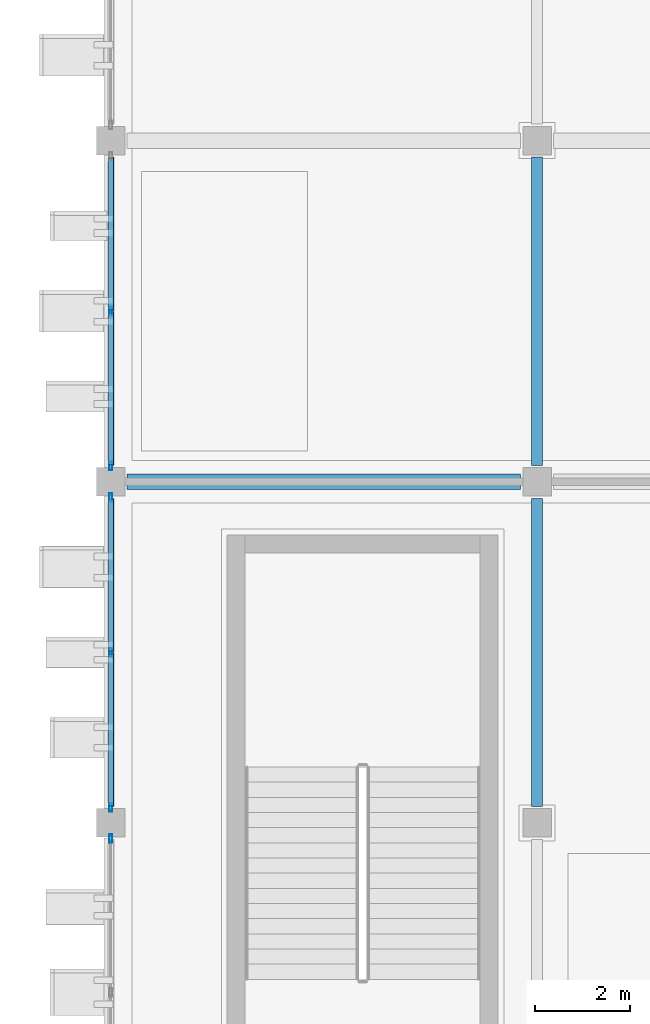
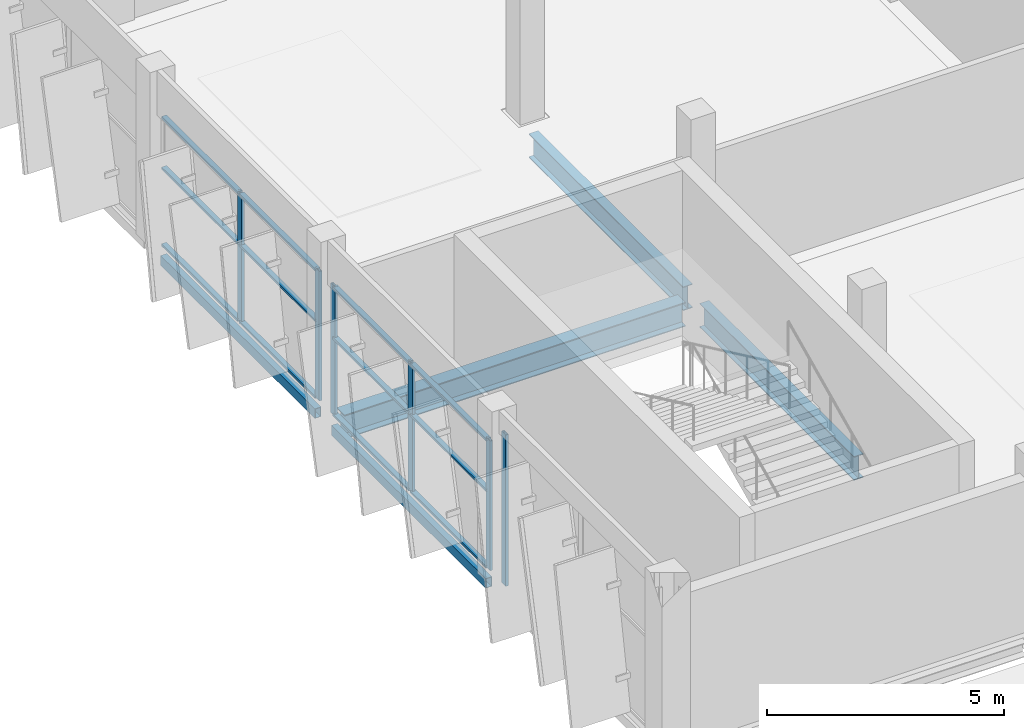
# One storey, part 30 of 124: 18 members, 5 beams, 3 elements without a shape of their own.
"""IFC4 building model written with IfcOpenShell, lengths in metres."""

from ifc_helpers import new_model, si_unit, direction, frame, origin, origin_2d, place, context, subcontext, project, spatial, hollow_rectangle, i_section, extrude, material, layer, layer_set, material_profile, profile_set, type_object, element, aggregate, save


model = new_model("IFC4")

# Units and contexts
model_context = context("Model", 3, precision=1e-05, world=origin(), true_north=direction((0.0, 1.0)))
body_context = subcontext(model_context, "Body", "Model", "MODEL_VIEW")
ifc_project = project(units=[si_unit("LENGTHUNIT", "METRE"), si_unit("AREAUNIT", "SQUARE_METRE"), si_unit("VOLUMEUNIT", "CUBIC_METRE"), si_unit("PLANEANGLEUNIT", "RADIAN"), si_unit("MASSUNIT", "GRAM", prefix="KILO")], contexts=[model_context])

# Site, building, storey
site_placement = place(None, origin())
site = spatial("IfcSite", under=ifc_project, at=site_placement, CompositionType="ELEMENT")
building_placement = place(site_placement, origin())
building = spatial("IfcBuilding", under=site, at=building_placement, Name="Celestram Park Convention Centre", CompositionType="ELEMENT")
storey_placement = place(building_placement, frame((0.0, 0.0, 15.300048828125)))
storey = spatial("IfcBuildingStorey", under=building, at=storey_placement, Name="L03", CompositionType="ELEMENT", Elevation=15.300048828125)

# Curtain wall, member
ifc_material_1 = material(Name="Anodised Aluminium Alloy 6063-T6", Category="aluminium")
ifc_layer_1 = layer(ifc_material_1, 0.179931640625)
ifc_layer_set_1 = layer_set([ifc_layer_1], Name="Anodised Aluminium Alloy 6063-T6")
curtain_wall_type_1 = type_object("IfcCurtainWallType", Name="ARC-CW-655X389", PredefinedType="NOTDEFINED", material=ifc_layer_set_1)
curtain_wall_1_placement = place(storey_placement, origin())
curtain_wall_1 = element("IfcCurtainWall", 1, at=curtain_wall_1_placement, inside=storey, type_object=curtain_wall_type_1, Name="Unitised curtain wall CU-L03-195", PredefinedType="NOTDEFINED")
ifc_material_profile_1 = material_profile(ifc_material_1, hollow_rectangle(XDim=0.06494140625, YDim=0.179931640625, WallThickness=0.00390625, at=origin_2d()), Name="ALU65X180X4")
ifc_profile_set_1 = profile_set([ifc_material_profile_1], Name="Anodised Aluminium Alloy 6063-T6")
member_type_1 = type_object("IfcMemberType", Name="ARC-CWM-150", PredefinedType="MULLION", material=ifc_profile_set_1)
member_1_placement = place(storey_placement, frame((36.0, 114.869384765625, 0.0), z_axis=(0.0, 0.0, 1.0), x_axis=(-1.0, 0.0, 0.0)))
member_1 = element("IfcMember", 2, at=member_1_placement, type_object=member_type_1, Name="CW-65X38 mullion 3", PredefinedType="MULLION", context=body_context, shape_type="SweptSolid", body=[
    extrude(hollow_rectangle(XDim=0.06494140625, YDim=0.179931640625, WallThickness=0.00390625, at=origin_2d()), origin(), (0.0, 0.0, 1.0), 3.89404296875),
])
aggregate(curtain_wall_1, [member_1])

# Curtain wall, members
ifc_layer_2 = layer(ifc_material_1, 0.179931640625)
ifc_layer_set_2 = layer_set([ifc_layer_2], Name="Anodised Aluminium Alloy 6063-T6")
curtain_wall_type_2 = type_object("IfcCurtainWallType", Name="ARC-CW-660X334", PredefinedType="NOTDEFINED", material=ifc_layer_set_2)
curtain_wall_2_placement = place(storey_placement, origin())
curtain_wall_2 = element("IfcCurtainWall", 3, at=curtain_wall_2_placement, inside=storey, type_object=curtain_wall_type_2, Name="Unitised curtain wall CU-L03-196", PredefinedType="NOTDEFINED")
member_2_placement = place(storey_placement, frame((36.0, 115.530517578125, 0.0), z_axis=(0.0, 0.0, 1.0), x_axis=(-1.0, 0.0, 0.0)))
member_2 = element("IfcMember", 4, at=member_2_placement, type_object=member_type_1, Name="CW-66X33 mullion 1", PredefinedType="MULLION", context=body_context, shape_type="SweptSolid", body=[
    extrude(hollow_rectangle(XDim=0.06494140625, YDim=0.179931640625, WallThickness=0.00390625, at=origin_2d()), origin(), (0.0, 0.0, 1.0), 3.3359375),
])
member_3_placement = place(storey_placement, frame((36.0, 118.800048828125, 0.0), z_axis=(0.0, 0.0, 1.0), x_axis=(-1.0, 0.0, 0.0)))
member_3 = element("IfcMember", 5, at=member_3_placement, type_object=member_type_1, Name="CW-66X33 mullion 2", PredefinedType="MULLION", context=body_context, shape_type="SweptSolid", body=[
    extrude(hollow_rectangle(XDim=0.06494140625, YDim=0.179931640625, WallThickness=0.00390625, at=origin_2d()), origin(), (0.0, 0.0, 1.0), 3.3359375),
])
member_4_placement = place(storey_placement, frame((36.0, 122.069580078125, 0.0), z_axis=(0.0, 0.0, 1.0), x_axis=(-1.0, 0.0, 0.0)))
member_4 = element("IfcMember", 6, at=member_4_placement, type_object=member_type_1, Name="CW-66X33 mullion 3", PredefinedType="MULLION", context=body_context, shape_type="SweptSolid", body=[
    extrude(hollow_rectangle(XDim=0.06494140625, YDim=0.179931640625, WallThickness=0.00390625, at=origin_2d()), origin(), (0.0, 0.0, 1.0), 3.3359375),
])

curtain_wall_3_placement = place(storey_placement, origin())
curtain_wall_3 = element("IfcCurtainWall", 7, at=curtain_wall_3_placement, inside=storey, type_object=curtain_wall_type_2, Name="Unitised curtain wall CU-L03-197", PredefinedType="NOTDEFINED")
member_5_placement = place(storey_placement, frame((36.0, 122.73046875, 0.0), z_axis=(0.0, 0.0, 1.0), x_axis=(-1.0, 0.0, 0.0)))
member_5 = element("IfcMember", 8, at=member_5_placement, type_object=member_type_1, Name="CW-66X33 mullion 1", PredefinedType="MULLION", context=body_context, shape_type="SweptSolid", body=[
    extrude(hollow_rectangle(XDim=0.06494140625, YDim=0.179931640625, WallThickness=0.00390625, at=origin_2d()), origin(), (0.0, 0.0, 1.0), 3.3359375),
])
member_6_placement = place(storey_placement, frame((36.0, 126.0, 0.0), z_axis=(0.0, 0.0, 1.0), x_axis=(-1.0, 0.0, 0.0)))
member_6 = element("IfcMember", 9, at=member_6_placement, type_object=member_type_1, Name="CW-66X33 mullion 2", PredefinedType="MULLION", context=body_context, shape_type="SweptSolid", body=[
    extrude(hollow_rectangle(XDim=0.06494140625, YDim=0.179931640625, WallThickness=0.00390625, at=origin_2d()), origin(), (0.0, 0.0, 1.0), 3.3359375),
])

# Member
ifc_material_profile_2 = material_profile(ifc_material_1, hollow_rectangle(XDim=0.1201171875, YDim=0.06005859375, WallThickness=0.0029296875, at=origin_2d()), Name="ALU120X60X3")
ifc_profile_set_2 = profile_set([ifc_material_profile_2], Name="Anodised Aluminium Alloy 6063-T6")
member_type_2 = type_object("IfcMemberType", Name="ARC-CWT-120", PredefinedType="USERDEFINED", material=ifc_profile_set_2)
member_7_placement = place(storey_placement, frame((36.0, 115.56298828125, 0.030029296875), z_axis=(0.0, 1.0, 0.0), x_axis=(-1.0, 0.0, 0.0)))
member_7 = element("IfcMember", 10, at=member_7_placement, type_object=member_type_2, Name="CW-66X33 transom 1.1", ObjectType="TRANSOM", PredefinedType="USERDEFINED", context=body_context, shape_type="SweptSolid", body=[
    extrude(hollow_rectangle(XDim=0.1201171875, YDim=0.06005859375, WallThickness=0.0029296875, at=origin_2d()), origin(), (0.0, 0.0, 1.0), 3.20458984375),
])

member_8_placement = place(storey_placement, frame((36.0, 115.56298828125, 2.001953125), z_axis=(0.0, 1.0, 0.0), x_axis=(-1.0, 0.0, 0.0)))
member_8 = element("IfcMember", 11, at=member_8_placement, type_object=member_type_2, Name="CW-66X33 transom 1.2", ObjectType="TRANSOM", PredefinedType="USERDEFINED", context=body_context, shape_type="SweptSolid", body=[
    extrude(hollow_rectangle(XDim=0.1201171875, YDim=0.06005859375, WallThickness=0.0029296875, at=origin_2d()), origin(), (0.0, 0.0, 1.0), 3.20458984375),
])

member_9_placement = place(storey_placement, frame((36.0, 115.56298828125, 3.305908203125), z_axis=(0.0, 1.0, 0.0), x_axis=(-1.0, 0.0, 0.0)))
member_9 = element("IfcMember", 12, at=member_9_placement, type_object=member_type_2, Name="CW-66X33 transom 1.3", ObjectType="TRANSOM", PredefinedType="USERDEFINED", context=body_context, shape_type="SweptSolid", body=[
    extrude(hollow_rectangle(XDim=0.1201171875, YDim=0.06005859375, WallThickness=0.0029296875, at=origin_2d()), origin(), (0.0, 0.0, 1.0), 3.20458984375),
])

member_10_placement = place(storey_placement, frame((36.0, 118.83251953125, 0.030029296875), z_axis=(0.0, 1.0, 0.0), x_axis=(-1.0, 0.0, 0.0)))
member_10 = element("IfcMember", 13, at=member_10_placement, type_object=member_type_2, Name="CW-66X33 transom 2.1", ObjectType="TRANSOM", PredefinedType="USERDEFINED", context=body_context, shape_type="SweptSolid", body=[
    extrude(hollow_rectangle(XDim=0.1201171875, YDim=0.06005859375, WallThickness=0.0029296875, at=origin_2d()), origin(), (0.0, 0.0, 1.0), 3.20458984375),
])

member_11_placement = place(storey_placement, frame((36.0, 118.83251953125, 2.001953125), z_axis=(0.0, 1.0, 0.0), x_axis=(-1.0, 0.0, 0.0)))
member_11 = element("IfcMember", 14, at=member_11_placement, type_object=member_type_2, Name="CW-66X33 transom 2.2", ObjectType="TRANSOM", PredefinedType="USERDEFINED", context=body_context, shape_type="SweptSolid", body=[
    extrude(hollow_rectangle(XDim=0.1201171875, YDim=0.06005859375, WallThickness=0.0029296875, at=origin_2d()), origin(), (0.0, 0.0, 1.0), 3.20458984375),
])

member_12_placement = place(storey_placement, frame((36.0, 118.83251953125, 3.305908203125), z_axis=(0.0, 1.0, 0.0), x_axis=(-1.0, 0.0, 0.0)))
member_12 = element("IfcMember", 15, at=member_12_placement, type_object=member_type_2, Name="CW-66X33 transom 2.3", ObjectType="TRANSOM", PredefinedType="USERDEFINED", context=body_context, shape_type="SweptSolid", body=[
    extrude(hollow_rectangle(XDim=0.1201171875, YDim=0.06005859375, WallThickness=0.0029296875, at=origin_2d()), origin(), (0.0, 0.0, 1.0), 3.20458984375),
])

aggregate(curtain_wall_2, [member_2, member_3, member_4, member_7, member_8, member_9, member_10, member_11, member_12])

member_13_placement = place(storey_placement, frame((36.0, 122.762939453125, 0.030029296875), z_axis=(0.0, 1.0, 0.0), x_axis=(-1.0, 0.0, 0.0)))
member_13 = element("IfcMember", 16, at=member_13_placement, type_object=member_type_2, Name="CW-66X33 transom 1.1", ObjectType="TRANSOM", PredefinedType="USERDEFINED", context=body_context, shape_type="SweptSolid", body=[
    extrude(hollow_rectangle(XDim=0.1201171875, YDim=0.06005859375, WallThickness=0.0029296875, at=origin_2d()), origin(), (0.0, 0.0, 1.0), 3.20458984375),
])

member_14_placement = place(storey_placement, frame((36.0, 122.762939453125, 2.001953125), z_axis=(0.0, 1.0, 0.0), x_axis=(-1.0, 0.0, 0.0)))
member_14 = element("IfcMember", 17, at=member_14_placement, type_object=member_type_2, Name="CW-66X33 transom 1.2", ObjectType="TRANSOM", PredefinedType="USERDEFINED", context=body_context, shape_type="SweptSolid", body=[
    extrude(hollow_rectangle(XDim=0.1201171875, YDim=0.06005859375, WallThickness=0.0029296875, at=origin_2d()), origin(), (0.0, 0.0, 1.0), 3.20458984375),
])

member_15_placement = place(storey_placement, frame((36.0, 122.762939453125, 3.305908203125), z_axis=(0.0, 1.0, 0.0), x_axis=(-1.0, 0.0, 0.0)))
member_15 = element("IfcMember", 18, at=member_15_placement, type_object=member_type_2, Name="CW-66X33 transom 1.3", ObjectType="TRANSOM", PredefinedType="USERDEFINED", context=body_context, shape_type="SweptSolid", body=[
    extrude(hollow_rectangle(XDim=0.1201171875, YDim=0.06005859375, WallThickness=0.0029296875, at=origin_2d()), origin(), (0.0, 0.0, 1.0), 3.20458984375),
])

member_16_placement = place(storey_placement, frame((36.0, 126.032470703125, 0.030029296875), z_axis=(0.0, 1.0, 0.0), x_axis=(-1.0, 0.0, 0.0)))
member_16 = element("IfcMember", 19, at=member_16_placement, type_object=member_type_2, Name="CW-66X33 transom 2.1", ObjectType="TRANSOM", PredefinedType="USERDEFINED", context=body_context, shape_type="SweptSolid", body=[
    extrude(hollow_rectangle(XDim=0.1201171875, YDim=0.06005859375, WallThickness=0.0029296875, at=origin_2d()), origin(), (0.0, 0.0, 1.0), 3.20458984375),
])

member_17_placement = place(storey_placement, frame((36.0, 126.032470703125, 2.001953125), z_axis=(0.0, 1.0, 0.0), x_axis=(-1.0, 0.0, 0.0)))
member_17 = element("IfcMember", 20, at=member_17_placement, type_object=member_type_2, Name="CW-66X33 transom 2.2", ObjectType="TRANSOM", PredefinedType="USERDEFINED", context=body_context, shape_type="SweptSolid", body=[
    extrude(hollow_rectangle(XDim=0.1201171875, YDim=0.06005859375, WallThickness=0.0029296875, at=origin_2d()), origin(), (0.0, 0.0, 1.0), 3.20458984375),
])

member_18_placement = place(storey_placement, frame((36.0, 126.032470703125, 3.305908203125), z_axis=(0.0, 1.0, 0.0), x_axis=(-1.0, 0.0, 0.0)))
member_18 = element("IfcMember", 21, at=member_18_placement, type_object=member_type_2, Name="CW-66X33 transom 2.3", ObjectType="TRANSOM", PredefinedType="USERDEFINED", context=body_context, shape_type="SweptSolid", body=[
    extrude(hollow_rectangle(XDim=0.1201171875, YDim=0.06005859375, WallThickness=0.0029296875, at=origin_2d()), origin(), (0.0, 0.0, 1.0), 3.20458984375),
])

aggregate(curtain_wall_3, [member_5, member_6, member_13, member_14, member_15, member_16, member_17, member_18])

# Beams
ifc_material_2 = material(Name="Steel ASTM A992 Grade 50", Category="steel")
ifc_material_profile_3 = material_profile(ifc_material_2, i_section(OverallWidth=0.327880859375, OverallDepth=0.6220703125, WebThickness=0.015380859375, FlangeThickness=0.0244140625, at=origin_2d()), Name="W24X131")
ifc_profile_set_3 = profile_set([ifc_material_profile_3], Name="Steel ASTM A992 Grade 50")
beam_type_1 = type_object("IfcBeamType", Name="STR-BM-W24X131", PredefinedType="BEAM", material=ifc_profile_set_3)
beam_placement = place(storey_placement, frame((36.347900390625, 122.39990234375, -0.56103515625), z_axis=(1.0, 0.0, 0.0), x_axis=(0.0, 1.0, 0.0)))
element("IfcBeam", 22, at=beam_placement, inside=storey, type_object=beam_type_1, Name="Primary X-girder BG-L03-0004", PredefinedType="BEAM", context=body_context, shape_type="SweptSolid", body=[
    extrude(i_section(OverallWidth=0.327880859375, OverallDepth=0.6220703125, WebThickness=0.015380859375, FlangeThickness=0.0244140625, at=origin_2d()), origin(), (0.0, 0.0, 1.0), 8.30419921875),
])
ifc_material_profile_4 = material_profile(ifc_material_2, i_section(OverallWidth=0.22900390625, OverallDepth=0.612060546875, WebThickness=0.011962890625, FlangeThickness=0.01953125, at=origin_2d()), Name="W24X84")
ifc_profile_set_4 = profile_set([ifc_material_profile_4], Name="Steel ASTM A992 Grade 50")
beam_type_2 = type_object("IfcBeamType", Name="STR-BM-W24X84", PredefinedType="BEAM", material=ifc_profile_set_4)
for number, where, z_axis, x_axis, name in (
    (23, (45.0, 115.548095703125, -0.55615234375), (0.0, 1.0, 0.0), (-1.0, 0.0, 0.0), "Primary Y-girder BG-L03-0017"),
    (24, (45.0, 122.748046875, -0.55615234375), (0.0, 1.0, 0.0), (-1.0, 0.0, 0.0), "Primary Y-girder BG-L03-0019"),
):
    element("IfcBeam", number, at=place(storey_placement, frame(where, z_axis=z_axis, x_axis=x_axis)), inside=storey, type_object=beam_type_2, Name=name, PredefinedType="BEAM", context=body_context, shape_type="SweptSolid", body=[
        extrude(i_section(OverallWidth=0.22900390625, OverallDepth=0.612060546875, WebThickness=0.011962890625, FlangeThickness=0.01953125, at=origin_2d()), origin(), (0.0, 0.0, 1.0), 6.50390625),
    ])
ifc_material_3 = material(Name="Steel ASTM A500 Grade C", Category="steel")
ifc_material_profile_5 = material_profile(ifc_material_3, hollow_rectangle(XDim=0.14990234375, YDim=0.25, WallThickness=0.010009765625, at=origin_2d()), Name="HSS250X150X10")
ifc_profile_set_5 = profile_set([ifc_material_profile_5], Name="Steel ASTM A500 Grade C")
beam_type_3 = type_object("IfcBeamType", Name="STR-SPN-HSS250X150", PredefinedType="SPANDREL", material=ifc_profile_set_5)
for number, where, z_axis, x_axis, name in (
    (25, (36.0, 115.548095703125, -0.375), (0.0, 1.0, 0.0), (-1.0, 0.0, 0.0), "Primary Y-girder BG-L03-0003"),
    (26, (36.0, 122.748046875, -0.375), (0.0, 1.0, 0.0), (-1.0, 0.0, 0.0), "Primary Y-girder BG-L03-0005"),
):
    element("IfcBeam", number, at=place(storey_placement, frame(where, z_axis=z_axis, x_axis=x_axis)), inside=storey, type_object=beam_type_3, Name=name, PredefinedType="SPANDREL", context=body_context, shape_type="SweptSolid", body=[
        extrude(hollow_rectangle(XDim=0.14990234375, YDim=0.25, WallThickness=0.010009765625, at=origin_2d()), origin(), (0.0, 0.0, 1.0), 6.50390625),
    ])

save(model, "model.ifc")
